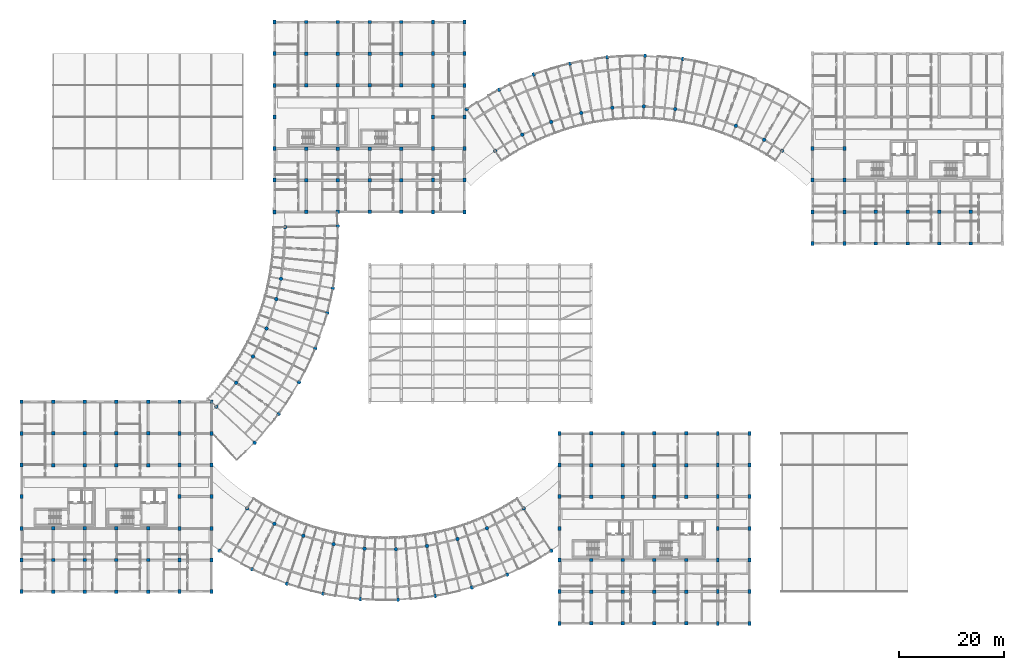
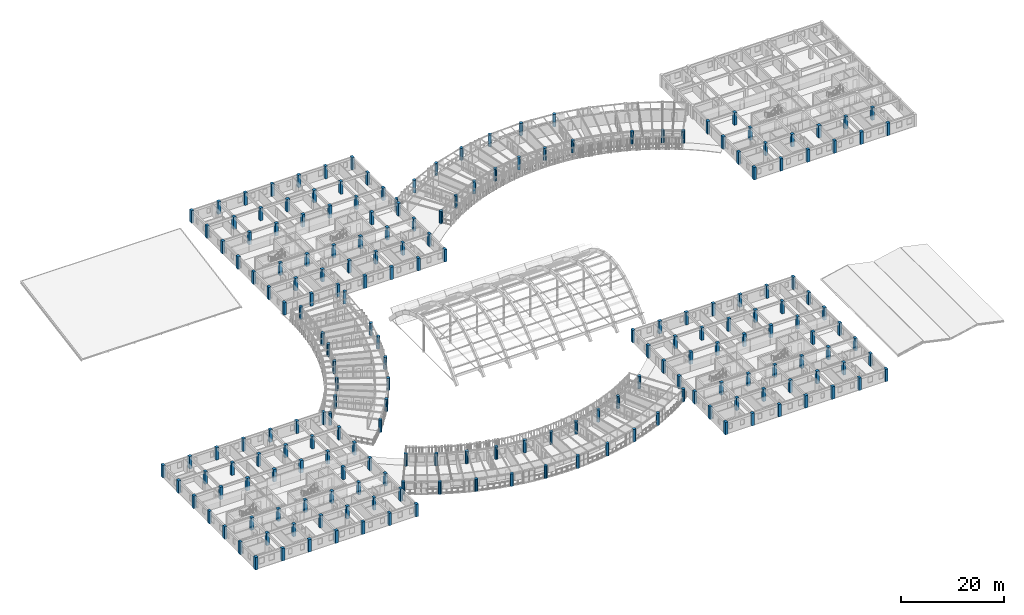
# One storey, part 1 of 123: 202 columns.
"""IFC4 building model written with IfcOpenShell, lengths in metres."""

from ifc_helpers import new_model, si_unit, direction, frame, origin, origin_2d, place, context, subcontext, project, spatial, rectangle, circle, extrude, material, material_profile, profile_set, type_object, element, save


model = new_model("IFC4")

# Units and contexts
model_context = context("Model", 3, precision=1e-05, world=origin(), true_north=direction((0.0, 1.0)))
body_context = subcontext(model_context, "Body", "Model", "MODEL_VIEW")
ifc_project = project(units=[si_unit("LENGTHUNIT", "METRE"), si_unit("AREAUNIT", "SQUARE_METRE"), si_unit("VOLUMEUNIT", "CUBIC_METRE"), si_unit("PLANEANGLEUNIT", "RADIAN"), si_unit("MASSUNIT", "GRAM", prefix="KILO"), si_unit("POWERUNIT", "WATT"), si_unit("THERMODYNAMICTEMPERATUREUNIT", "KELVIN")], contexts=[model_context])

# Site, building, storey
site_placement = place(None, origin())
site = spatial("IfcSite", under=ifc_project, at=site_placement, CompositionType="ELEMENT")
building_placement = place(site_placement, origin())
building = spatial("IfcBuilding", under=site, at=building_placement, Name="Ruvembo Vaulted Housing Court", CompositionType="ELEMENT")
storey_placement = place(building_placement, frame((0.0, 0.0, 7.699951171875)))
storey = spatial("IfcBuildingStorey", under=building, at=storey_placement, Name="L02", CompositionType="ELEMENT", Elevation=7.699951171875)

# Columns
ifc_material = material(Name="Concrete C40/50", Category="concrete")
ifc_material_profile_1 = material_profile(ifc_material, rectangle(XDim=0.550048828125, YDim=0.75, at=origin_2d()), Name="RC 550x750")
ifc_profile_set_1 = profile_set([ifc_material_profile_1], Name="Concrete C40/50")
column_type_1 = type_object("IfcColumnType", Name="COL-RC-550x750", PredefinedType="COLUMN", material=ifc_profile_set_1)
for number, where, z_axis, x_axis, name in (
    (1, (0.0, 6.0, 0.0), (0.0, 0.0, 1.0), (1.0, 0.0, 0.0), "L02 Column (0,6)"),
    (2, (0.0, 12.0, 0.0), (0.0, 0.0, 1.0), (1.0, 0.0, 0.0), "L02 Column (0,12)"),
    (3, (0.0, 18.0, 0.0), (0.0, 0.0, 1.0), (1.0, 0.0, 0.0), "L02 Column (0,18)"),
    (4, (0.0, 24.0, 0.0), (0.0, 0.0, 1.0), (1.0, 0.0, 0.0), "L02 Column (0,24)"),
    (5, (0.0, 30.0, 0.0), (0.0, 0.0, 1.0), (1.0, 0.0, 0.0), "L02 Column (0,30)"),
    (6, (0.0, 36.0, 0.0), (0.0, 0.0, 1.0), (1.0, 0.0, 0.0), "L02 Column (0,36)"),
    (7, (0.0, 42.0, 0.0), (0.0, 0.0, 1.0), (1.0, 0.0, 0.0), "L02 Column (0,42)"),
    (8, (30.0, 6.0, 0.0), (0.0, 0.0, 1.0), (1.0, 0.0, 0.0), "L02 Column (30,6)"),
    (9, (30.0, 12.0, 0.0), (0.0, 0.0, 1.0), (1.0, 0.0, 0.0), "L02 Column (30,12)"),
    (10, (30.0, 18.0, 0.0), (0.0, 0.0, 1.0), (1.0, 0.0, 0.0), "L02 Column (30,18)"),
    (11, (30.0, 24.0, 0.0), (0.0, 0.0, 1.0), (1.0, 0.0, 0.0), "L02 Column (30,24)"),
    (12, (30.0, 30.0, 0.0), (0.0, 0.0, 1.0), (1.0, 0.0, 0.0), "L02 Column (30,30)"),
    (13, (30.0, 36.0, 0.0), (0.0, 0.0, 1.0), (1.0, 0.0, 0.0), "L02 Column (30,36)"),
    (14, (30.0, 42.0, 0.0), (0.0, 0.0, 1.0), (1.0, 0.0, 0.0), "L02 Column (30,42)"),
    (15, (36.0, 6.0, 0.0), (0.0, 0.0, 1.0), (1.0, 0.0, 0.0), "L02 Column (36,6)"),
    (16, (36.0, 12.0, 0.0), (0.0, 0.0, 1.0), (1.0, 0.0, 0.0), "L02 Column (36,12)"),
    (17, (36.0, 18.0, 0.0), (0.0, 0.0, 1.0), (1.0, 0.0, 0.0), "L02 Column (36,18)"),
    (18, (36.0, 24.0, 0.0), (0.0, 0.0, 1.0), (1.0, 0.0, 0.0), "L02 Column (36,24)"),
    (19, (36.0, 30.0, 0.0), (0.0, 0.0, 1.0), (1.0, 0.0, 0.0), "L02 Column (36,30)"),
    (20, (36.0, 36.0, 0.0), (0.0, 0.0, 1.0), (1.0, 0.0, 0.0), "L02 Column (36,36)"),
    (21, (36.0, 42.0, 0.0), (0.0, 0.0, 1.0), (1.0, 0.0, 0.0), "L02 Column (36,42)"),
    (22, (48.0, 78.0, 0.0), (0.0, 0.0, 1.0), (1.0, 0.0, 0.0), "L02 Column (48,78)"),
    (23, (48.0, 84.0, 0.0), (0.0, 0.0, 1.0), (1.0, 0.0, 0.0), "L02 Column (48,84)"),
    (24, (48.0, 90.0, 0.0), (0.0, 0.0, 1.0), (1.0, 0.0, 0.0), "L02 Column (48,90)"),
    (25, (48.0, 96.0, 0.0), (0.0, 0.0, 1.0), (1.0, 0.0, 0.0), "L02 Column (48,96)"),
    (26, (48.0, 102.0, 0.0), (0.0, 0.0, 1.0), (1.0, 0.0, 0.0), "L02 Column (48,102)"),
    (27, (48.0, 108.0, 0.0), (0.0, 0.0, 1.0), (1.0, 0.0, 0.0), "L02 Column (48,108)"),
    (28, (48.0, 114.0, 0.0), (0.0, 0.0, 1.0), (1.0, 0.0, 0.0), "L02 Column (48,114)"),
    (29, (78.0, 78.0, 0.0), (0.0, 0.0, 1.0), (1.0, 0.0, 0.0), "L02 Column (78,78)"),
    (30, (78.0, 84.0, 0.0), (0.0, 0.0, 1.0), (1.0, 0.0, 0.0), "L02 Column (78,84)"),
    (31, (78.0, 90.0, 0.0), (0.0, 0.0, 1.0), (1.0, 0.0, 0.0), "L02 Column (78,90)"),
    (32, (78.0, 96.0, 0.0), (0.0, 0.0, 1.0), (1.0, 0.0, 0.0), "L02 Column (78,96)"),
    (33, (78.0, 102.0, 0.0), (0.0, 0.0, 1.0), (1.0, 0.0, 0.0), "L02 Column (78,102)"),
    (34, (78.0, 108.0, 0.0), (0.0, 0.0, 1.0), (1.0, 0.0, 0.0), "L02 Column (78,108)"),
    (35, (78.0, 114.0, 0.0), (0.0, 0.0, 1.0), (1.0, 0.0, 0.0), "L02 Column (78,114)"),
    (36, (84.0, 78.0, 0.0), (0.0, 0.0, 1.0), (1.0, 0.0, 0.0), "L02 Column (84,78)"),
    (37, (84.0, 84.0, 0.0), (0.0, 0.0, 1.0), (1.0, 0.0, 0.0), "L02 Column (84,84)"),
    (38, (84.0, 90.0, 0.0), (0.0, 0.0, 1.0), (1.0, 0.0, 0.0), "L02 Column (84,90)"),
    (39, (84.0, 96.0, 0.0), (0.0, 0.0, 1.0), (1.0, 0.0, 0.0), "L02 Column (84,96)"),
    (40, (84.0, 102.0, 0.0), (0.0, 0.0, 1.0), (1.0, 0.0, 0.0), "L02 Column (84,102)"),
    (41, (84.0, 108.0, 0.0), (0.0, 0.0, 1.0), (1.0, 0.0, 0.0), "L02 Column (84,108)"),
    (42, (84.0, 114.0, 0.0), (0.0, 0.0, 1.0), (1.0, 0.0, 0.0), "L02 Column (84,114)"),
    (43, (102.0, 0.0, 0.0), (0.0, 0.0, 1.0), (1.0, 0.0, 0.0), "L02 Column (102,0)"),
    (44, (102.0, 6.0, 0.0), (0.0, 0.0, 1.0), (1.0, 0.0, 0.0), "L02 Column (102,6)"),
    (45, (102.0, 12.0, 0.0), (0.0, 0.0, 1.0), (1.0, 0.0, 0.0), "L02 Column (102,12)"),
    (46, (102.0, 18.0, 0.0), (0.0, 0.0, 1.0), (1.0, 0.0, 0.0), "L02 Column (102,18)"),
    (47, (102.0, 24.0, 0.0), (0.0, 0.0, 1.0), (1.0, 0.0, 0.0), "L02 Column (102,24)"),
    (48, (102.0, 30.0, 0.0), (0.0, 0.0, 1.0), (1.0, 0.0, 0.0), "L02 Column (102,30)"),
    (49, (102.0, 36.0, 0.0), (0.0, 0.0, 1.0), (1.0, 0.0, 0.0), "L02 Column (102,36)"),
    (50, (132.0, 0.0, 0.0), (0.0, 0.0, 1.0), (1.0, 0.0, 0.0), "L02 Column (132,0)"),
    (51, (132.0, 6.0, 0.0), (0.0, 0.0, 1.0), (1.0, 0.0, 0.0), "L02 Column (132,6)"),
    (52, (132.0, 12.0, 0.0), (0.0, 0.0, 1.0), (1.0, 0.0, 0.0), "L02 Column (132,12)"),
    (53, (132.0, 18.0, 0.0), (0.0, 0.0, 1.0), (1.0, 0.0, 0.0), "L02 Column (132,18)"),
    (54, (132.0, 24.0, 0.0), (0.0, 0.0, 1.0), (1.0, 0.0, 0.0), "L02 Column (132,24)"),
    (55, (132.0, 30.0, 0.0), (0.0, 0.0, 1.0), (1.0, 0.0, 0.0), "L02 Column (132,30)"),
    (56, (132.0, 36.0, 0.0), (0.0, 0.0, 1.0), (1.0, 0.0, 0.0), "L02 Column (132,36)"),
    (57, (138.0, 0.0, 0.0), (0.0, 0.0, 1.0), (1.0, 0.0, 0.0), "L02 Column (138,0)"),
    (58, (138.0, 6.0, 0.0), (0.0, 0.0, 1.0), (1.0, 0.0, 0.0), "L02 Column (138,6)"),
    (59, (138.0, 12.0, 0.0), (0.0, 0.0, 1.0), (1.0, 0.0, 0.0), "L02 Column (138,12)"),
    (60, (138.0, 18.0, 0.0), (0.0, 0.0, 1.0), (1.0, 0.0, 0.0), "L02 Column (138,18)"),
    (61, (138.0, 24.0, 0.0), (0.0, 0.0, 1.0), (1.0, 0.0, 0.0), "L02 Column (138,24)"),
    (62, (138.0, 30.0, 0.0), (0.0, 0.0, 1.0), (1.0, 0.0, 0.0), "L02 Column (138,30)"),
    (63, (138.0, 36.0, 0.0), (0.0, 0.0, 1.0), (1.0, 0.0, 0.0), "L02 Column (138,36)"),
    (64, (150.0, 72.0, 0.0), (0.0, 0.0, 1.0), (1.0, 0.0, 0.0), "L02 Column (150,72)"),
    (65, (150.0, 78.0, 0.0), (0.0, 0.0, 1.0), (1.0, 0.0, 0.0), "L02 Column (150,78)"),
    (66, (150.0, 84.0, 0.0), (0.0, 0.0, 1.0), (1.0, 0.0, 0.0), "L02 Column (150,84)"),
    (67, (150.0, 90.0, 0.0), (0.0, 0.0, 1.0), (1.0, 0.0, 0.0), "L02 Column (150,90)"),
    (68, (156.0, 72.0, 0.0), (0.0, 0.0, 1.0), (1.0, 0.0, 0.0), "L02 Column (156,72)"),
    (69, (156.0, 78.0, 0.0), (0.0, 0.0, 1.0), (1.0, 0.0, 0.0), "L02 Column (156,78)"),
    (70, (156.0, 84.0, 0.0), (0.0, 0.0, 1.0), (1.0, 0.0, 0.0), "L02 Column (156,84)"),
    (71, (156.0, 90.0, 0.0), (0.0, 0.0, 1.0), (1.0, 0.0, 0.0), "L02 Column (156,90)"),
):
    element("IfcColumn", number, at=place(storey_placement, frame(where, z_axis=z_axis, x_axis=x_axis)), inside=storey, type_object=column_type_1, Name=name, PredefinedType="COLUMN", context=body_context, shape_type="SweptSolid", body=[
        extrude(rectangle(XDim=0.550048828125, YDim=0.75, at=origin_2d()), origin(), (0.0, 0.0, 1.0), 2.955078125),
    ])
ifc_material_profile_2 = material_profile(ifc_material, rectangle(XDim=0.64990234375, YDim=0.64990234375, at=origin_2d()), Name="RC 650x650")
ifc_profile_set_2 = profile_set([ifc_material_profile_2], Name="Concrete C40/50")
column_type_2 = type_object("IfcColumnType", Name="COL-RC-650", PredefinedType="COLUMN", material=ifc_profile_set_2)
for number, where, z_axis, x_axis, name in (
    (72, (6.0, 6.0, 0.0), (0.0, 0.0, 1.0), (1.0, 0.0, 0.0), "L02 Column (6,6)"),
    (73, (6.0, 12.0, 0.0), (0.0, 0.0, 1.0), (1.0, 0.0, 0.0), "L02 Column (6,12)"),
    (74, (6.0, 18.0, 0.0), (0.0, 0.0, 1.0), (1.0, 0.0, 0.0), "L02 Column (6,18)"),
    (75, (6.0, 30.0, 0.0), (0.0, 0.0, 1.0), (1.0, 0.0, 0.0), "L02 Column (6,30)"),
    (76, (6.0, 36.0, 0.0), (0.0, 0.0, 1.0), (1.0, 0.0, 0.0), "L02 Column (6,36)"),
    (77, (6.0, 42.0, 0.0), (0.0, 0.0, 1.0), (1.0, 0.0, 0.0), "L02 Column (6,42)"),
    (78, (12.0, 6.0, 0.0), (0.0, 0.0, 1.0), (1.0, 0.0, 0.0), "L02 Column (12,6)"),
    (79, (12.0, 12.0, 0.0), (0.0, 0.0, 1.0), (1.0, 0.0, 0.0), "L02 Column (12,12)"),
    (80, (12.0, 18.0, 0.0), (0.0, 0.0, 1.0), (1.0, 0.0, 0.0), "L02 Column (12,18)"),
    (81, (12.0, 30.0, 0.0), (0.0, 0.0, 1.0), (1.0, 0.0, 0.0), "L02 Column (12,30)"),
    (82, (12.0, 36.0, 0.0), (0.0, 0.0, 1.0), (1.0, 0.0, 0.0), "L02 Column (12,36)"),
    (83, (12.0, 42.0, 0.0), (0.0, 0.0, 1.0), (1.0, 0.0, 0.0), "L02 Column (12,42)"),
    (84, (18.0, 6.0, 0.0), (0.0, 0.0, 1.0), (1.0, 0.0, 0.0), "L02 Column (18,6)"),
    (85, (18.0, 12.0, 0.0), (0.0, 0.0, 1.0), (1.0, 0.0, 0.0), "L02 Column (18,12)"),
    (86, (18.0, 18.0, 0.0), (0.0, 0.0, 1.0), (1.0, 0.0, 0.0), "L02 Column (18,18)"),
    (87, (18.0, 30.0, 0.0), (0.0, 0.0, 1.0), (1.0, 0.0, 0.0), "L02 Column (18,30)"),
    (88, (18.0, 36.0, 0.0), (0.0, 0.0, 1.0), (1.0, 0.0, 0.0), "L02 Column (18,36)"),
    (89, (18.0, 42.0, 0.0), (0.0, 0.0, 1.0), (1.0, 0.0, 0.0), "L02 Column (18,42)"),
    (90, (24.0, 6.0, 0.0), (0.0, 0.0, 1.0), (1.0, 0.0, 0.0), "L02 Column (24,6)"),
    (91, (24.0, 12.0, 0.0), (0.0, 0.0, 1.0), (1.0, 0.0, 0.0), "L02 Column (24,12)"),
    (92, (24.0, 18.0, 0.0), (0.0, 0.0, 1.0), (1.0, 0.0, 0.0), "L02 Column (24,18)"),
    (93, (24.0, 30.0, 0.0), (0.0, 0.0, 1.0), (1.0, 0.0, 0.0), "L02 Column (24,30)"),
    (94, (24.0, 36.0, 0.0), (0.0, 0.0, 1.0), (1.0, 0.0, 0.0), "L02 Column (24,36)"),
    (95, (24.0, 42.0, 0.0), (0.0, 0.0, 1.0), (1.0, 0.0, 0.0), "L02 Column (24,42)"),
    (96, (54.0, 78.0, 0.0), (0.0, 0.0, 1.0), (1.0, 0.0, 0.0), "L02 Column (54,78)"),
    (97, (54.0, 84.0, 0.0), (0.0, 0.0, 1.0), (1.0, 0.0, 0.0), "L02 Column (54,84)"),
    (98, (54.0, 90.0, 0.0), (0.0, 0.0, 1.0), (1.0, 0.0, 0.0), "L02 Column (54,90)"),
    (99, (54.0, 102.0, 0.0), (0.0, 0.0, 1.0), (1.0, 0.0, 0.0), "L02 Column (54,102)"),
    (100, (54.0, 108.0, 0.0), (0.0, 0.0, 1.0), (1.0, 0.0, 0.0), "L02 Column (54,108)"),
    (101, (54.0, 114.0, 0.0), (0.0, 0.0, 1.0), (1.0, 0.0, 0.0), "L02 Column (54,114)"),
    (102, (60.0, 78.0, 0.0), (0.0, 0.0, 1.0), (1.0, 0.0, 0.0), "L02 Column (60,78)"),
    (103, (60.0, 84.0, 0.0), (0.0, 0.0, 1.0), (1.0, 0.0, 0.0), "L02 Column (60,84)"),
    (104, (60.0, 90.0, 0.0), (0.0, 0.0, 1.0), (1.0, 0.0, 0.0), "L02 Column (60,90)"),
    (105, (60.0, 102.0, 0.0), (0.0, 0.0, 1.0), (1.0, 0.0, 0.0), "L02 Column (60,102)"),
    (106, (60.0, 108.0, 0.0), (0.0, 0.0, 1.0), (1.0, 0.0, 0.0), "L02 Column (60,108)"),
    (107, (60.0, 114.0, 0.0), (0.0, 0.0, 1.0), (1.0, 0.0, 0.0), "L02 Column (60,114)"),
    (108, (66.0, 78.0, 0.0), (0.0, 0.0, 1.0), (1.0, 0.0, 0.0), "L02 Column (66,78)"),
    (109, (66.0, 84.0, 0.0), (0.0, 0.0, 1.0), (1.0, 0.0, 0.0), "L02 Column (66,84)"),
    (110, (66.0, 90.0, 0.0), (0.0, 0.0, 1.0), (1.0, 0.0, 0.0), "L02 Column (66,90)"),
    (111, (66.0, 102.0, 0.0), (0.0, 0.0, 1.0), (1.0, 0.0, 0.0), "L02 Column (66,102)"),
    (112, (66.0, 108.0, 0.0), (0.0, 0.0, 1.0), (1.0, 0.0, 0.0), "L02 Column (66,108)"),
    (113, (66.0, 114.0, 0.0), (0.0, 0.0, 1.0), (1.0, 0.0, 0.0), "L02 Column (66,114)"),
    (114, (72.0, 78.0, 0.0), (0.0, 0.0, 1.0), (1.0, 0.0, 0.0), "L02 Column (72,78)"),
    (115, (72.0, 84.0, 0.0), (0.0, 0.0, 1.0), (1.0, 0.0, 0.0), "L02 Column (72,84)"),
    (116, (72.0, 90.0, 0.0), (0.0, 0.0, 1.0), (1.0, 0.0, 0.0), "L02 Column (72,90)"),
    (117, (72.0, 102.0, 0.0), (0.0, 0.0, 1.0), (1.0, 0.0, 0.0), "L02 Column (72,102)"),
    (118, (72.0, 108.0, 0.0), (0.0, 0.0, 1.0), (1.0, 0.0, 0.0), "L02 Column (72,108)"),
    (119, (72.0, 114.0, 0.0), (0.0, 0.0, 1.0), (1.0, 0.0, 0.0), "L02 Column (72,114)"),
    (120, (108.0, 0.0, 0.0), (0.0, 0.0, 1.0), (1.0, 0.0, 0.0), "L02 Column (108,0)"),
    (121, (108.0, 6.0, 0.0), (0.0, 0.0, 1.0), (1.0, 0.0, 0.0), "L02 Column (108,6)"),
    (122, (108.0, 12.0, 0.0), (0.0, 0.0, 1.0), (1.0, 0.0, 0.0), "L02 Column (108,12)"),
    (123, (108.0, 24.0, 0.0), (0.0, 0.0, 1.0), (1.0, 0.0, 0.0), "L02 Column (108,24)"),
    (124, (108.0, 30.0, 0.0), (0.0, 0.0, 1.0), (1.0, 0.0, 0.0), "L02 Column (108,30)"),
    (125, (108.0, 36.0, 0.0), (0.0, 0.0, 1.0), (1.0, 0.0, 0.0), "L02 Column (108,36)"),
    (126, (114.0, 0.0, 0.0), (0.0, 0.0, 1.0), (1.0, 0.0, 0.0), "L02 Column (114,0)"),
    (127, (114.0, 6.0, 0.0), (0.0, 0.0, 1.0), (1.0, 0.0, 0.0), "L02 Column (114,6)"),
    (128, (114.0, 12.0, 0.0), (0.0, 0.0, 1.0), (1.0, 0.0, 0.0), "L02 Column (114,12)"),
    (129, (114.0, 24.0, 0.0), (0.0, 0.0, 1.0), (1.0, 0.0, 0.0), "L02 Column (114,24)"),
    (130, (114.0, 30.0, 0.0), (0.0, 0.0, 1.0), (1.0, 0.0, 0.0), "L02 Column (114,30)"),
    (131, (114.0, 36.0, 0.0), (0.0, 0.0, 1.0), (1.0, 0.0, 0.0), "L02 Column (114,36)"),
    (132, (120.0, 0.0, 0.0), (0.0, 0.0, 1.0), (1.0, 0.0, 0.0), "L02 Column (120,0)"),
    (133, (120.0, 6.0, 0.0), (0.0, 0.0, 1.0), (1.0, 0.0, 0.0), "L02 Column (120,6)"),
    (134, (120.0, 12.0, 0.0), (0.0, 0.0, 1.0), (1.0, 0.0, 0.0), "L02 Column (120,12)"),
    (135, (120.0, 24.0, 0.0), (0.0, 0.0, 1.0), (1.0, 0.0, 0.0), "L02 Column (120,24)"),
    (136, (120.0, 30.0, 0.0), (0.0, 0.0, 1.0), (1.0, 0.0, 0.0), "L02 Column (120,30)"),
    (137, (120.0, 36.0, 0.0), (0.0, 0.0, 1.0), (1.0, 0.0, 0.0), "L02 Column (120,36)"),
    (138, (126.0, 0.0, 0.0), (0.0, 0.0, 1.0), (1.0, 0.0, 0.0), "L02 Column (126,0)"),
    (139, (126.0, 6.0, 0.0), (0.0, 0.0, 1.0), (1.0, 0.0, 0.0), "L02 Column (126,6)"),
    (140, (126.0, 12.0, 0.0), (0.0, 0.0, 1.0), (1.0, 0.0, 0.0), "L02 Column (126,12)"),
    (141, (126.0, 24.0, 0.0), (0.0, 0.0, 1.0), (1.0, 0.0, 0.0), "L02 Column (126,24)"),
    (142, (126.0, 30.0, 0.0), (0.0, 0.0, 1.0), (1.0, 0.0, 0.0), "L02 Column (126,30)"),
    (143, (126.0, 36.0, 0.0), (0.0, 0.0, 1.0), (1.0, 0.0, 0.0), "L02 Column (126,36)"),
    (144, (162.0, 72.0, 0.0), (0.0, 0.0, 1.0), (1.0, 0.0, 0.0), "L02 Column (162,72)"),
    (145, (162.0, 78.0, 0.0), (0.0, 0.0, 1.0), (1.0, 0.0, 0.0), "L02 Column (162,78)"),
    (146, (168.0, 72.0, 0.0), (0.0, 0.0, 1.0), (1.0, 0.0, 0.0), "L02 Column (168,72)"),
    (147, (168.0, 78.0, 0.0), (0.0, 0.0, 1.0), (1.0, 0.0, 0.0), "L02 Column (168,78)"),
    (148, (174.0, 72.0, 0.0), (0.0, 0.0, 1.0), (1.0, 0.0, 0.0), "L02 Column (174,72)"),
    (149, (174.0, 78.0, 0.0), (0.0, 0.0, 1.0), (1.0, 0.0, 0.0), "L02 Column (174,78)"),
    (150, (180.0, 72.0, 0.0), (0.0, 0.0, 1.0), (1.0, 0.0, 0.0), "L02 Column (180,72)"),
    (151, (180.0, 78.0, 0.0), (0.0, 0.0, 1.0), (1.0, 0.0, 0.0), "L02 Column (180,78)"),
):
    element("IfcColumn", number, at=place(storey_placement, frame(where, z_axis=z_axis, x_axis=x_axis)), inside=storey, type_object=column_type_2, Name=name, PredefinedType="COLUMN", context=body_context, shape_type="SweptSolid", body=[
        extrude(rectangle(XDim=0.64990234375, YDim=0.64990234375, at=origin_2d()), origin(), (0.0, 0.0, 1.0), 2.955078125),
    ])
ifc_material_profile_3 = material_profile(ifc_material, circle(Radius=0.35009765625, at=origin_2d()), Name="RC D700")
ifc_profile_set_3 = profile_set([ifc_material_profile_3], Name="Concrete C40/50")
column_type_3 = type_object("IfcColumnType", Name="PILOTIS-D700", PredefinedType="COLUMN", material=ifc_profile_set_3)
for number, where, z_axis, x_axis, name in (
    (152, (36.9306640625, 41.078125, 0.0), (0.0, 0.0, 1.0), (1.0, 0.0, 0.0), "L02 Scooped Pier CP-SC1-F01"),
    (153, (44.207763671875, 34.21923828125, 0.0), (0.0, 0.0, 1.0), (1.0, 0.0, 0.0), "L02 Scooped Pier CP-SC1-B01"),
    (154, (40.7041015625, 45.60986328125, 0.0), (0.0, 0.0, 1.0), (1.0, 0.0, 0.0), "L02 Scooped Pier CP-SC1-F02"),
    (155, (48.767333984375, 39.6953125, 0.0), (0.0, 0.0, 1.0), (1.0, 0.0, 0.0), "L02 Scooped Pier CP-SC1-B02"),
    (156, (43.89306640625, 50.570068359375, 0.0), (0.0, 0.0, 1.0), (1.0, 0.0, 0.0), "L02 Scooped Pier CP-SC1-F03"),
    (157, (52.620849609375, 45.688720703125, 0.0), (0.0, 0.0, 1.0), (1.0, 0.0, 0.0), "L02 Scooped Pier CP-SC1-B03"),
    (158, (46.449951171875, 55.8837890625, 0.0), (0.0, 0.0, 1.0), (1.0, 0.0, 0.0), "L02 Scooped Pier CP-SC1-F04"),
    (159, (55.71044921875, 52.109619140625, 0.0), (0.0, 0.0, 1.0), (1.0, 0.0, 0.0), "L02 Scooped Pier CP-SC1-B04"),
    (160, (48.3359375, 61.47119140625, 0.0), (0.0, 0.0, 1.0), (1.0, 0.0, 0.0), "L02 Scooped Pier CP-SC1-F05"),
    (161, (57.989501953125, 58.861083984375, 0.0), (0.0, 0.0, 1.0), (1.0, 0.0, 0.0), "L02 Scooped Pier CP-SC1-B05"),
    (162, (49.206298828125, 65.306396484375, 0.0), (0.0, 0.0, 1.0), (1.0, 0.0, 0.0), "L02 Scooped Pier CP-SC1-F06"),
    (163, (59.040771484375, 63.495361328125, 0.0), (0.0, 0.0, 1.0), (1.0, 0.0, 0.0), "L02 Scooped Pier CP-SC1-B06"),
    (164, (49.987548828125, 75.092529296875, 0.0), (0.0, 0.0, 1.0), (1.0, 0.0, 0.0), "L02 Scooped Pier CP-SC1-F07"),
    (165, (59.985107421875, 75.3203125, 0.0), (0.0, 0.0, 1.0), (1.0, 0.0, 0.0), "L02 Scooped Pier CP-SC1-B07"),
    (166, (42.79345703125, 21.785400390625, 0.0), (0.0, 0.0, 1.0), (1.0, 0.0, 0.0), "L02 Scooped Pier CP-SC2-F01"),
    (167, (37.55224609375, 13.742431640625, 0.0), (0.0, 0.0, 1.0), (1.0, 0.0, 0.0), "L02 Scooped Pier CP-SC2-B01"),
    (168, (47.958251953125, 18.85791015625, 0.0), (0.0, 0.0, 1.0), (1.0, 0.0, 0.0), "L02 Scooped Pier CP-SC2-F02"),
    (169, (43.749755859375, 10.2294921875, 0.0), (0.0, 0.0, 1.0), (1.0, 0.0, 0.0), "L02 Scooped Pier CP-SC2-B02"),
    (170, (53.44482421875, 16.59033203125, 0.0), (0.0, 0.0, 1.0), (1.0, 0.0, 0.0), "L02 Scooped Pier CP-SC2-F03"),
    (171, (50.333740234375, 7.50830078125, 0.0), (0.0, 0.0, 1.0), (1.0, 0.0, 0.0), "L02 Scooped Pier CP-SC2-B03"),
    (172, (59.169189453125, 15.017578125, 0.0), (0.0, 0.0, 1.0), (1.0, 0.0, 0.0), "L02 Scooped Pier CP-SC2-F04"),
    (173, (57.203125, 5.62109375, 0.0), (0.0, 0.0, 1.0), (1.0, 0.0, 0.0), "L02 Scooped Pier CP-SC2-B04"),
    (174, (65.044189453125, 14.163330078125, 0.0), (0.0, 0.0, 1.0), (1.0, 0.0, 0.0), "L02 Scooped Pier CP-SC2-F05"),
    (175, (64.2529296875, 4.595947265625, 0.0), (0.0, 0.0, 1.0), (1.0, 0.0, 0.0), "L02 Scooped Pier CP-SC2-B05"),
    (176, (70.9794921875, 14.040771484375, 0.0), (0.0, 0.0, 1.0), (1.0, 0.0, 0.0), "L02 Scooped Pier CP-SC2-F06"),
    (177, (71.37548828125, 4.448974609375, 0.0), (0.0, 0.0, 1.0), (1.0, 0.0, 0.0), "L02 Scooped Pier CP-SC2-B06"),
    (178, (76.884765625, 14.652099609375, 0.0), (0.0, 0.0, 1.0), (1.0, 0.0, 0.0), "L02 Scooped Pier CP-SC2-F07"),
    (179, (78.461669921875, 5.182373046875, 0.0), (0.0, 0.0, 1.0), (1.0, 0.0, 0.0), "L02 Scooped Pier CP-SC2-B07"),
    (180, (82.669189453125, 15.987548828125, 0.0), (0.0, 0.0, 1.0), (1.0, 0.0, 0.0), "L02 Scooped Pier CP-SC2-F08"),
    (181, (85.403076171875, 6.784912109375, 0.0), (0.0, 0.0, 1.0), (1.0, 0.0, 0.0), "L02 Scooped Pier CP-SC2-B08"),
    (182, (88.24462890625, 18.02685546875, 0.0), (0.0, 0.0, 1.0), (1.0, 0.0, 0.0), "L02 Scooped Pier CP-SC2-F09"),
    (183, (92.093505859375, 9.232177734375, 0.0), (0.0, 0.0, 1.0), (1.0, 0.0, 0.0), "L02 Scooped Pier CP-SC2-B09"),
    (184, (95.20654296875, 21.785400390625, 0.0), (0.0, 0.0, 1.0), (1.0, 0.0, 0.0), "L02 Scooped Pier CP-SC2-F10"),
    (185, (100.44775390625, 13.742431640625, 0.0), (0.0, 0.0, 1.0), (1.0, 0.0, 0.0), "L02 Scooped Pier CP-SC2-B10"),
    (186, (89.82177734375, 89.564453125, 0.0), (0.0, 0.0, 1.0), (1.0, 0.0, 0.0), "L02 Scooped Pier CP-SC3-F01"),
    (187, (84.38623046875, 97.477294921875, 0.0), (0.0, 0.0, 1.0), (1.0, 0.0, 0.0), "L02 Scooped Pier CP-SC3-B01"),
    (188, (94.946533203125, 92.6337890625, 0.0), (0.0, 0.0, 1.0), (1.0, 0.0, 0.0), "L02 Scooped Pier CP-SC3-F02"),
    (189, (90.535888671875, 101.16064453125, 0.0), (0.0, 0.0, 1.0), (1.0, 0.0, 0.0), "L02 Scooped Pier CP-SC3-B02"),
    (190, (100.412841796875, 95.04296875, 0.0), (0.0, 0.0, 1.0), (1.0, 0.0, 0.0), "L02 Scooped Pier CP-SC3-F03"),
    (191, (97.095458984375, 104.051513671875, 0.0), (0.0, 0.0, 1.0), (1.0, 0.0, 0.0), "L02 Scooped Pier CP-SC3-B03"),
    (192, (106.13623046875, 96.75439453125, 0.0), (0.0, 0.0, 1.0), (1.0, 0.0, 0.0), "L02 Scooped Pier CP-SC3-F04"),
    (193, (103.96337890625, 106.105224609375, 0.0), (0.0, 0.0, 1.0), (1.0, 0.0, 0.0), "L02 Scooped Pier CP-SC3-B04"),
    (194, (112.027587890625, 97.74169921875, 0.0), (0.0, 0.0, 1.0), (1.0, 0.0, 0.0), "L02 Scooped Pier CP-SC3-F05"),
    (195, (111.033203125, 107.2900390625, 0.0), (0.0, 0.0, 1.0), (1.0, 0.0, 0.0), "L02 Scooped Pier CP-SC3-B05"),
    (196, (117.99609375, 97.98974609375, 0.0), (0.0, 0.0, 1.0), (1.0, 0.0, 0.0), "L02 Scooped Pier CP-SC3-F06"),
    (197, (118.1953125, 107.587646484375, 0.0), (0.0, 0.0, 1.0), (1.0, 0.0, 0.0), "L02 Scooped Pier CP-SC3-B06"),
    (198, (123.94921875, 97.494384765625, 0.0), (0.0, 0.0, 1.0), (1.0, 0.0, 0.0), "L02 Scooped Pier CP-SC3-F07"),
    (199, (125.339111328125, 106.9931640625, 0.0), (0.0, 0.0, 1.0), (1.0, 0.0, 0.0), "L02 Scooped Pier CP-SC3-B07"),
    (200, (135.44189453125, 94.31591796875, 0.0), (0.0, 0.0, 1.0), (1.0, 0.0, 0.0), "L02 Scooped Pier CP-SC3-F09"),
    (201, (140.8037109375, 91.681884765625, 0.0), (0.0, 0.0, 1.0), (1.0, 0.0, 0.0), "L02 Scooped Pier CP-SC3-F10"),
    (202, (144.17822265625, 89.564453125, 0.0), (0.0, 0.0, 1.0), (1.0, 0.0, 0.0), "L02 Scooped Pier CP-SC3-F11"),
):
    element("IfcColumn", number, at=place(storey_placement, frame(where, z_axis=z_axis, x_axis=x_axis)), inside=storey, type_object=column_type_3, Name=name, PredefinedType="COLUMN", context=body_context, shape_type="SweptSolid", body=[
        extrude(circle(Radius=0.35009765625, at=origin_2d()), origin(), (0.0, 0.0, 1.0), 2.947998046875),
    ])

save(model, "model.ifc")
